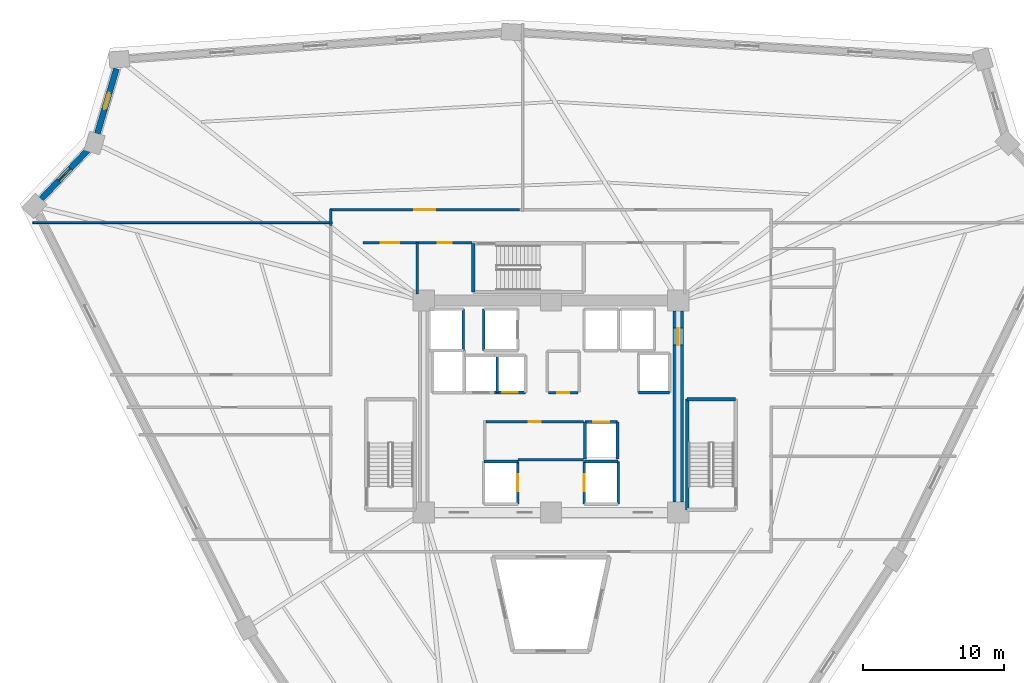
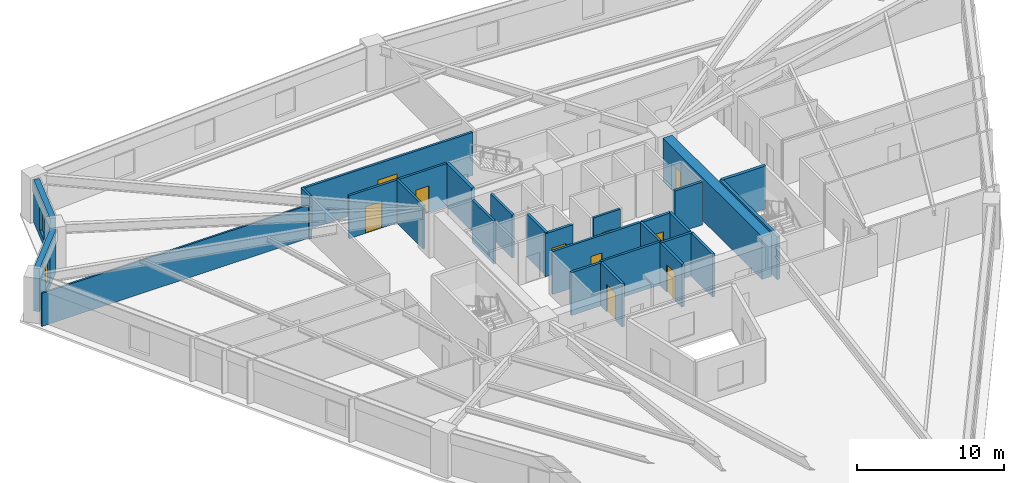
# One storey, part 4 of 7: 28 walls, 10 doors, 2 windows, 12 openings.
"""IFC4 building model written with IfcOpenShell, lengths in metres."""

from ifc_helpers import new_model, si_unit, direction, frame, frame_2d, origin, place, context, subcontext, project, spatial, rectangle, extrude, source, transform, mapped, material, layer, layer_set, type_object, element, fill, save


model = new_model("IFC4")

# Units and contexts
model_context = context("Model", 3, precision=1e-05, world=origin(), true_north=direction((0.0, 1.0)))
body_context = subcontext(model_context, "Body", "Model", "MODEL_VIEW")
ifc_project = project(units=[si_unit("LENGTHUNIT", "METRE"), si_unit("AREAUNIT", "SQUARE_METRE"), si_unit("VOLUMEUNIT", "CUBIC_METRE"), si_unit("PLANEANGLEUNIT", "RADIAN"), si_unit("MASSUNIT", "GRAM", prefix="KILO")], contexts=[model_context])

# Site, building, storey
site_placement = place(None, origin())
site = spatial("IfcSite", under=ifc_project, at=site_placement, CompositionType="ELEMENT")
building_placement = place(site_placement, origin())
building = spatial("IfcBuilding", under=site, at=building_placement, Name="Liaohun Quay Tower", CompositionType="ELEMENT")
storey_placement = place(building_placement, frame((0.0, 0.0, 113.25)))
storey = spatial("IfcBuildingStorey", under=building, at=storey_placement, Name="L29", CompositionType="ELEMENT", Elevation=113.25)

# Wall, opening, door
ifc_material_1 = material(Name="Concrete C60", Category="concrete")
ifc_layer_1 = layer(ifc_material_1, 0.75, Name="Concrete C60", Category="concrete")
ifc_layer_set_1 = layer_set([ifc_layer_1], Name="Concrete C60")
wall_type_1 = type_object("IfcWallType", Name="WAL-COR-Z2", PredefinedType="SHEAR", material=ifc_layer_set_1)
wall_1_placement = place(storey_placement, frame((69.0, 60.75, 0.0), z_axis=(0.0, 0.0, 1.0), x_axis=(0.0, -1.0, 0.0)))
wall_1 = element("IfcWall", 1, at=wall_1_placement, inside=storey, type_object=wall_type_1, Name="L29 Central Core Shear Wall E", PredefinedType="SHEAR", context=body_context, shape_type="SweptSolid", body=[
    extrude(rectangle(XDim=13.5, YDim=0.75, at=frame_2d((6.75, 0.0))), origin(), (0.0, 0.0, 1.0), 3.570068359375),
])
shared_shape_1 = source(origin(), body_context, "Body", "SweptSolid", [
    extrude(rectangle(XDim=1.199951171875, YDim=2.199951171875, at=frame_2d((0.60009765625, 1.10009765625))), frame((0.0, 0.385009765625, 0.0), z_axis=(0.0, -1.0, 0.0), x_axis=(1.0, 0.0, 0.0)), (0.0, 0.0, 1.0), 0.77001953125),
])
opening_1_placement = place(wall_1_placement, frame((1.199951171875, 0.0, 0.0)))
opening_1 = element("IfcOpeningElement", 2, at=opening_1_placement, cuts=wall_1, Name="Opening SD1", PredefinedType="OPENING", context=body_context, shape_type="MappedRepresentation", body=[
    mapped(shared_shape_1, transform((0.0, 0.0, 0.0), x_axis=(1.0, 0.0, 0.0), y_axis=(0.0, 1.0, 0.0), z_axis=(0.0, 0.0, 1.0), scale=1.0)),
])
ifc_material_2 = material(Name="Galvanised steel fire door", Category="steel")
door_type_1 = type_object("IfcDoorType", Name="DOR-STR-1200", OperationType="NOTDEFINED", PredefinedType="DOOR", material=ifc_material_2)
shared_shape_2 = source(origin(), body_context, "Body", "SweptSolid", [
    extrude(rectangle(XDim=1.199951171875, YDim=2.199951171875, at=frame_2d((0.60009765625, 1.10009765625))), frame((0.0, 0.02490234375, 0.0), z_axis=(0.0, -1.0, 0.0), x_axis=(1.0, 0.0, 0.0)), (0.0, 0.0, 1.0), 0.050048828125),
])
door_1_placement = place(opening_1_placement, origin())
door_1 = element("IfcDoor", 3, at=door_1_placement, inside=storey, type_object=door_type_1, Name="L29 North-East Core Lobby Smokeproof Door", OperationType="SINGLE_SWING_LEFT", OverallHeight=2.199951171875, OverallWidth=1.199951171875, PredefinedType="DOOR", context=body_context, shape_type="MappedRepresentation", body=[
    mapped(shared_shape_2, transform((0.0, 0.0, 0.0), x_axis=(1.0, 0.0, 0.0), y_axis=(0.0, 1.0, 0.0), z_axis=(0.0, 0.0, 1.0), scale=1.0)),
])
fill(opening_1, door_1)

# Wall, opening, window
ifc_material_3 = material(Name="Precast concrete C50 insulated sandwich", Category="concrete")
ifc_layer_2 = layer(ifc_material_3, 0.419921875, Name="Precast concrete C50 insulated sandwich", Category="concrete")
ifc_layer_set_2 = layer_set([ifc_layer_2], Name="Precast concrete C50 insulated sandwich")
wall_type_2 = type_object("IfcWallType", Name="WAL-EXT-Z12", PredefinedType="SOLIDWALL", material=ifc_layer_set_2)
wall_2_placement = place(storey_placement, frame((29.278076171875, 77.881103515625, 0.0), z_axis=(0.0, 0.0, 1.0), x_axis=(-0.282666457409, -0.959218261844, 0.0)))
wall_2 = element("IfcWall", 4, at=wall_2_placement, inside=storey, type_object=wall_type_2, Name="L29 Brutalist Precast Pier Wall 08", PredefinedType="SOLIDWALL", context=body_context, shape_type="SweptSolid", body=[
    extrude(rectangle(XDim=4.783203125, YDim=0.419921875, at=frame_2d((2.3916015625, 0.0))), origin(), (0.0, 0.0, 1.0), 3.570068359375),
])
shared_shape_3 = source(origin(), body_context, "Body", "SweptSolid", [
    extrude(rectangle(XDim=1.199951171875, YDim=1.89990234375, at=frame_2d((0.60009765625, 0.949951171875))), frame((0.0, 0.219970703125, 0.0), z_axis=(0.0, -1.0, 0.0), x_axis=(1.0, 0.0, 0.0)), (0.0, 0.0, 1.0), 0.43994140625),
])
opening_2_placement = place(wall_2_placement, frame((1.7919921875, 0.0, 0.550048828125)))
opening_2 = element("IfcOpeningElement", 5, at=opening_2_placement, cuts=wall_2, Name="Opening W05", PredefinedType="OPENING", context=body_context, shape_type="MappedRepresentation", body=[
    mapped(shared_shape_3, transform((0.0, 0.0, 0.0), x_axis=(1.0, 0.0, 0.0), y_axis=(0.0, 1.0, 0.0), z_axis=(0.0, 0.0, 1.0), scale=1.0)),
])
ifc_material_4 = material(Name="Triple Low-E corner notch glazing", Category="glass")
window_type = type_object("IfcWindowType", Name="WIN-NOTCH", PartitioningType="SINGLE_PANEL", PredefinedType="WINDOW", material=ifc_material_4)
shared_shape_4 = source(origin(), body_context, "Body", "SweptSolid", [
    extrude(rectangle(XDim=1.199951171875, YDim=1.89990234375, at=frame_2d((0.60009765625, 0.949951171875))), frame((0.0, 0.030029296875, 0.0), z_axis=(0.0, -1.0, 0.0), x_axis=(1.0, 0.0, 0.0)), (0.0, 0.0, 1.0), 0.06005859375),
])
window_1_placement = place(opening_2_placement, origin())
window_1 = element("IfcWindow", 6, at=window_1_placement, inside=storey, type_object=window_type, Name="L29 Corner Notch Window W05-08", OverallHeight=1.89990234375, OverallWidth=1.199951171875, PartitioningType="SINGLE_PANEL", PredefinedType="WINDOW", context=body_context, shape_type="MappedRepresentation", body=[
    mapped(shared_shape_4, transform((0.0, 0.0, 0.0), x_axis=(1.0, 0.0, 0.0), y_axis=(0.0, 1.0, 0.0), z_axis=(0.0, 0.0, 1.0), scale=1.0)),
])
fill(opening_2, window_1)

wall_3_placement = place(storey_placement, frame((27.2548828125, 72.131103515625, 0.0), z_axis=(0.0, 0.0, 1.0), x_axis=(-0.689175152742, -0.724594789412, 0.0)))
wall_3 = element("IfcWall", 7, at=wall_3_placement, inside=storey, type_object=wall_type_2, Name="L29 Brutalist Precast Pier Wall 09", PredefinedType="SOLIDWALL", context=body_context, shape_type="SweptSolid", body=[
    extrude(rectangle(XDim=4.776611328125, YDim=0.419921875, at=frame_2d((2.38818359375, 0.0))), origin(), (0.0, 0.0, 1.0), 3.570068359375),
])
opening_3_placement = place(wall_3_placement, frame((1.7880859375, 0.0, 0.550048828125)))
opening_3 = element("IfcOpeningElement", 8, at=opening_3_placement, cuts=wall_3, Name="Opening W05", PredefinedType="OPENING", context=body_context, shape_type="MappedRepresentation", body=[
    mapped(shared_shape_3, transform((0.0, 0.0, 0.0), x_axis=(1.0, 0.0, 0.0), y_axis=(0.0, 1.0, 0.0), z_axis=(0.0, 0.0, 1.0), scale=1.0)),
])
window_2_placement = place(opening_3_placement, origin())
window_2 = element("IfcWindow", 9, at=window_2_placement, inside=storey, type_object=window_type, Name="L29 Corner Notch Window W05-09", OverallHeight=1.89990234375, OverallWidth=1.199951171875, PartitioningType="SINGLE_PANEL", PredefinedType="WINDOW", context=body_context, shape_type="MappedRepresentation", body=[
    mapped(shared_shape_4, transform((0.0, 0.0, 0.0), x_axis=(1.0, 0.0, 0.0), y_axis=(0.0, 1.0, 0.0), z_axis=(0.0, 0.0, 1.0), scale=1.0)),
])
fill(opening_3, window_2)

# Wall, opening, door
ifc_material_5 = material(Name="Autoclaved aerated concrete blockwork", Category="masonry")
ifc_layer_3 = layer(ifc_material_5, 0.179931640625, Name="Autoclaved aerated concrete blockwork", Category="masonry")
ifc_layer_set_3 = layer_set([ifc_layer_3], Name="Autoclaved aerated concrete blockwork")
wall_type_3 = type_object("IfcWallType", Name="WAL-PRT-COR", PredefinedType="PARTITIONING", material=ifc_layer_set_3)
wall_4_placement = place(storey_placement, frame((55.389892578125, 52.919921875, 0.0), z_axis=(0.0, 0.0, 1.0), x_axis=(1.0, 0.0, 0.0)))
wall_4 = element("IfcWall", 10, at=wall_4_placement, inside=storey, type_object=wall_type_3, Name="L29 Interior Partition Wall 001", PredefinedType="PARTITIONING", context=body_context, shape_type="SweptSolid", body=[
    extrude(rectangle(XDim=6.91015625, YDim=0.179931640625, at=frame_2d((3.455078125, 0.0))), origin(), (0.0, 0.0, 1.0), 3.570068359375),
])
shared_shape_5 = source(origin(), body_context, "Body", "SweptSolid", [
    extrude(rectangle(XDim=0.85009765625, YDim=2.10009765625, at=frame_2d((0.425048828125, 1.050048828125))), frame((0.0, 0.099853515625, 0.0), z_axis=(0.0, -1.0, 0.0), x_axis=(1.0, 0.0, 0.0)), (0.0, 0.0, 1.0), 0.199951171875),
])
opening_4_placement = place(wall_4_placement, frame((3.034912109375, 0.0, 0.0)))
opening_4 = element("IfcOpeningElement", 11, at=opening_4_placement, cuts=wall_4, Name="Opening AD1", PredefinedType="OPENING", context=body_context, shape_type="MappedRepresentation", body=[
    mapped(shared_shape_5, transform((0.0, 0.0, 0.0), x_axis=(1.0, 0.0, 0.0), y_axis=(0.0, 1.0, 0.0), z_axis=(0.0, 0.0, 1.0), scale=1.0)),
])
ifc_material_6 = material(Name="Steel riser inspection fire door", Category="steel")
door_type_2 = type_object("IfcDoorType", Name="DOR-SHF-850", OperationType="NOTDEFINED", PredefinedType="DOOR", material=ifc_material_6)
shared_shape_6 = source(origin(), body_context, "Body", "SweptSolid", [
    extrude(rectangle(XDim=0.85009765625, YDim=2.10009765625, at=frame_2d((0.425048828125, 1.050048828125))), frame((0.0, 0.02490234375, 0.0), z_axis=(0.0, -1.0, 0.0), x_axis=(1.0, 0.0, 0.0)), (0.0, 0.0, 1.0), 0.050048828125),
])
door_2_placement = place(opening_4_placement, origin())
door_2 = element("IfcDoor", 12, at=door_2_placement, inside=storey, type_object=door_type_2, Name="L29 Core Tenant Storage and Archive Room Door", OperationType="SINGLE_SWING_RIGHT", OverallHeight=2.10009765625, OverallWidth=0.85009765625, PredefinedType="DOOR", context=body_context, shape_type="MappedRepresentation", body=[
    mapped(shared_shape_6, transform((0.0, 0.0, 0.0), x_axis=(1.0, 0.0, 0.0), y_axis=(0.0, 1.0, 0.0), z_axis=(0.0, 0.0, 1.0), scale=1.0)),
])
fill(opening_4, door_2)

wall_5_placement = place(storey_placement, frame((59.81005859375, 54.97998046875, 0.0), z_axis=(0.0, 0.0, 1.0), x_axis=(1.0, 0.0, 0.0)))
wall_5 = element("IfcWall", 13, at=wall_5_placement, inside=storey, type_object=wall_type_3, Name="L29 Interior Partition Wall 002", PredefinedType="PARTITIONING", context=body_context, shape_type="SweptSolid", body=[
    extrude(rectangle(XDim=2.10986328125, YDim=0.179931640625, at=frame_2d((1.054931640625, 0.0))), origin(), (0.0, 0.0, 1.0), 3.570068359375),
])
opening_5_placement = place(wall_5_placement, frame((0.635009765625, 0.0, 0.0)))
opening_5 = element("IfcOpeningElement", 14, at=opening_5_placement, cuts=wall_5, Name="Opening AD1", PredefinedType="OPENING", context=body_context, shape_type="MappedRepresentation", body=[
    mapped(shared_shape_5, transform((0.0, 0.0, 0.0), x_axis=(1.0, 0.0, 0.0), y_axis=(0.0, 1.0, 0.0), z_axis=(0.0, 0.0, 1.0), scale=1.0)),
])
door_3_placement = place(opening_5_placement, origin())
door_3 = element("IfcDoor", 15, at=door_3_placement, inside=storey, type_object=door_type_2, Name="L29 Core Electrical and Telecom Riser Room Door", OperationType="SINGLE_SWING_LEFT", OverallHeight=2.10009765625, OverallWidth=0.85009765625, PredefinedType="DOOR", context=body_context, shape_type="MappedRepresentation", body=[
    mapped(shared_shape_6, transform((0.0, 0.0, 0.0), x_axis=(1.0, 0.0, 0.0), y_axis=(0.0, 1.0, 0.0), z_axis=(0.0, 0.0, 1.0), scale=1.0)),
])
fill(opening_5, door_3)

wall_6_placement = place(storey_placement, frame((50.5400390625, 65.580078125, 0.0), z_axis=(0.0, 0.0, 1.0), x_axis=(1.0, 0.0, 0.0)))
wall_6 = element("IfcWall", 16, at=wall_6_placement, inside=storey, type_object=wall_type_3, Name="L29 Interior Partition Wall 006", PredefinedType="PARTITIONING", context=body_context, shape_type="SweptSolid", body=[
    extrude(rectangle(XDim=3.869873046875, YDim=0.179931640625, at=frame_2d((1.93505859375, 0.0))), origin(), (0.0, 0.0, 1.0), 3.570068359375),
])
shared_shape_7 = source(origin(), body_context, "Body", "SweptSolid", [
    extrude(rectangle(XDim=1.0, YDim=2.199951171875, at=frame_2d((0.5, 1.10009765625))), frame((0.0, 0.099853515625, 0.0), z_axis=(0.0, -1.0, 0.0), x_axis=(1.0, 0.0, 0.0)), (0.0, 0.0, 1.0), 0.199951171875),
])
opening_6_placement = place(wall_6_placement, frame((1.43505859375, 0.0, 0.0)))
opening_6 = element("IfcOpeningElement", 17, at=opening_6_placement, cuts=wall_6, Name="Opening OD1", PredefinedType="OPENING", context=body_context, shape_type="MappedRepresentation", body=[
    mapped(shared_shape_7, transform((0.0, 0.0, 0.0), x_axis=(1.0, 0.0, 0.0), y_axis=(0.0, 1.0, 0.0), z_axis=(0.0, 0.0, 1.0), scale=1.0)),
])
ifc_material_7 = material(Name="Solid-core oak veneer timber leaf in steel frame", Category="steel")
door_type_3 = type_object("IfcDoorType", Name="DOR-OFF-1000", OperationType="NOTDEFINED", PredefinedType="DOOR", material=ifc_material_7)
shared_shape_8 = source(origin(), body_context, "Body", "SweptSolid", [
    extrude(rectangle(XDim=1.0, YDim=2.199951171875, at=frame_2d((0.5, 1.10009765625))), frame((0.0, 0.02490234375, 0.0), z_axis=(0.0, -1.0, 0.0), x_axis=(1.0, 0.0, 0.0)), (0.0, 0.0, 1.0), 0.050048828125),
])
door_4_placement = place(opening_6_placement, origin())
door_4 = element("IfcDoor", 18, at=door_4_placement, inside=storey, type_object=door_type_3, Name="L29 North-West Print and Telecom Room Door", OperationType="SINGLE_SWING_LEFT", OverallHeight=2.199951171875, OverallWidth=1.0, PredefinedType="DOOR", context=body_context, shape_type="MappedRepresentation", body=[
    mapped(shared_shape_8, transform((0.0, 0.0, 0.0), x_axis=(1.0, 0.0, 0.0), y_axis=(0.0, 1.0, 0.0), z_axis=(0.0, 0.0, 1.0), scale=1.0)),
])
fill(opening_6, door_4)

wall_7_placement = place(storey_placement, frame((46.699951171875, 65.580078125, 0.0), z_axis=(0.0, 0.0, 1.0), x_axis=(1.0, 0.0, 0.0)))
wall_7 = element("IfcWall", 19, at=wall_7_placement, inside=storey, type_object=wall_type_3, Name="L29 Interior Partition Wall 008", PredefinedType="PARTITIONING", context=body_context, shape_type="SweptSolid", body=[
    extrude(rectangle(XDim=3.840087890625, YDim=0.179931640625, at=frame_2d((1.919921875, 0.0))), origin(), (0.0, 0.0, 1.0), 3.570068359375),
])
shared_shape_9 = source(origin(), body_context, "Body", "SweptSolid", [
    extrude(rectangle(XDim=1.300048828125, YDim=2.199951171875, at=frame_2d((0.64990234375, 1.10009765625))), frame((0.0, 0.099853515625, 0.0), z_axis=(0.0, -1.0, 0.0), x_axis=(1.0, 0.0, 0.0)), (0.0, 0.0, 1.0), 0.199951171875),
])
opening_7_placement = place(wall_7_placement, frame((1.27001953125, 0.0, 0.0)))
opening_7 = element("IfcOpeningElement", 20, at=opening_7_placement, cuts=wall_7, Name="Opening FD1", PredefinedType="OPENING", context=body_context, shape_type="MappedRepresentation", body=[
    mapped(shared_shape_9, transform((0.0, 0.0, 0.0), x_axis=(1.0, 0.0, 0.0), y_axis=(0.0, 1.0, 0.0), z_axis=(0.0, 0.0, 1.0), scale=1.0)),
])
ifc_material_8 = material(Name="Galvanised steel smokeproof fire door", Category="steel")
door_type_4 = type_object("IfcDoorType", Name="DOR-FFL-1300", OperationType="NOTDEFINED", PredefinedType="DOOR", material=ifc_material_8)
shared_shape_10 = source(origin(), body_context, "Body", "SweptSolid", [
    extrude(rectangle(XDim=1.300048828125, YDim=2.199951171875, at=frame_2d((0.64990234375, 1.10009765625))), frame((0.0, 0.02490234375, 0.0), z_axis=(0.0, -1.0, 0.0), x_axis=(1.0, 0.0, 0.0)), (0.0, 0.0, 1.0), 0.050048828125),
])
door_5_placement = place(opening_7_placement, origin())
door_5 = element("IfcDoor", 21, at=door_5_placement, inside=storey, type_object=door_type_4, Name="L29 West Core Vestibule Door", OperationType="SINGLE_SWING_LEFT", OverallHeight=2.199951171875, OverallWidth=1.300048828125, PredefinedType="DOOR", context=body_context, shape_type="MappedRepresentation", body=[
    mapped(shared_shape_10, transform((0.0, 0.0, 0.0), x_axis=(1.0, 0.0, 0.0), y_axis=(0.0, 1.0, 0.0), z_axis=(0.0, 0.0, 1.0), scale=1.0)),
])
fill(opening_7, door_5)

wall_8_placement = place(storey_placement, frame((44.3701171875, 67.909912109375, 0.0), z_axis=(0.0, 0.0, 1.0), x_axis=(1.0, 0.0, 0.0)))
wall_8 = element("IfcWall", 22, at=wall_8_placement, inside=storey, type_object=wall_type_3, Name="L29 Interior Partition Wall 012", PredefinedType="PARTITIONING", context=body_context, shape_type="SweptSolid", body=[
    extrude(rectangle(XDim=13.414794921875, YDim=0.179931640625, at=frame_2d((6.70751953125, 0.0))), origin(), (0.0, 0.0, 1.0), 3.570068359375),
])
shared_shape_11 = source(origin(), body_context, "Body", "SweptSolid", [
    extrude(rectangle(XDim=1.5, YDim=2.199951171875, at=frame_2d((0.75, 1.10009765625))), frame((0.0, 0.099853515625, 0.0), z_axis=(0.0, -1.0, 0.0), x_axis=(1.0, 0.0, 0.0)), (0.0, 0.0, 1.0), 0.199951171875),
])
opening_8_placement = place(wall_8_placement, frame((5.95703125, 0.0, 0.0)))
opening_8 = element("IfcOpeningElement", 23, at=opening_8_placement, cuts=wall_8, Name="Opening OD2", PredefinedType="OPENING", context=body_context, shape_type="MappedRepresentation", body=[
    mapped(shared_shape_11, transform((0.0, 0.0, 0.0), x_axis=(1.0, 0.0, 0.0), y_axis=(0.0, 1.0, 0.0), z_axis=(0.0, 0.0, 1.0), scale=1.0)),
])
ifc_material_9 = material(Name="Acoustic oak veneer double door")
door_type_5 = type_object("IfcDoorType", Name="DOR-OFF-1500", OperationType="DOUBLE_DOOR_SINGLE_SWING", PredefinedType="DOOR", material=ifc_material_9)
shared_shape_12 = source(origin(), body_context, "Body", "SweptSolid", [
    extrude(rectangle(XDim=1.5, YDim=2.199951171875, at=frame_2d((0.75, 1.10009765625))), frame((0.0, 0.02490234375, 0.0), z_axis=(0.0, -1.0, 0.0), x_axis=(1.0, 0.0, 0.0)), (0.0, 0.0, 1.0), 0.050048828125),
])
door_6_placement = place(opening_8_placement, origin())
door_6 = element("IfcDoor", 24, at=door_6_placement, inside=storey, type_object=door_type_5, Name="L29 Technical Reference Library 03 Door", OperationType="DOUBLE_DOOR_SINGLE_SWING", OverallHeight=2.199951171875, OverallWidth=1.5, PredefinedType="DOOR", context=body_context, shape_type="MappedRepresentation", body=[
    mapped(shared_shape_12, transform((0.0, 0.0, 0.0), x_axis=(1.0, 0.0, 0.0), y_axis=(0.0, 1.0, 0.0), z_axis=(0.0, 0.0, 1.0), scale=1.0)),
])
fill(opening_8, door_6)

# Walls
wall_9_placement = place(storey_placement, frame((50.5400390625, 61.949951171875, 0.0), z_axis=(0.0, 0.0, 1.0), x_axis=(0.0, 1.0, 0.0)))
element("IfcWall", 25, at=wall_9_placement, inside=storey, type_object=wall_type_3, Name="L29 Interior Partition Wall 027", PredefinedType="PARTITIONING", context=body_context, shape_type="SweptSolid", body=[
    extrude(rectangle(XDim=3.630126953125, YDim=0.179931640625, at=frame_2d((1.81494140625, 0.0))), origin(), (0.0, 0.0, 1.0), 3.570068359375),
])
wall_10_placement = place(storey_placement, frame((44.43994140625, 66.784912109375, 0.0), z_axis=(0.0, 0.0, 1.0), x_axis=(0.0, 1.0, 0.0)))
element("IfcWall", 26, at=wall_10_placement, inside=storey, type_object=wall_type_3, Name="L29 Interior Partition Wall 031", PredefinedType="PARTITIONING", context=body_context, shape_type="SweptSolid", body=[
    extrude(rectangle(XDim=1.195068359375, YDim=0.179931640625, at=frame_2d((0.59765625, 0.0))), origin(), (0.0, 0.0, 1.0), 3.570068359375),
])
wall_11_placement = place(storey_placement, frame((57.64990234375, 50.25, 0.0), z_axis=(0.0, 0.0, 1.0), x_axis=(1.0, 0.0, 0.0)))
element("IfcWall", 27, at=wall_11_placement, inside=storey, type_object=wall_type_3, Name="L29 Interior Partition Wall 045", PredefinedType="PARTITIONING", context=body_context, shape_type="SweptSolid", body=[
    extrude(rectangle(XDim=4.650146484375, YDim=0.179931640625, at=frame_2d((2.3251953125, 0.0))), origin(), (0.0, 0.0, 1.0), 3.570068359375),
])
ifc_material_10 = material(Name="Gypsum board on twin steel studs", Category="steel")
ifc_layer_4 = layer(ifc_material_10, 0.139892578125, Name="Gypsum board on twin steel studs", Category="steel")
ifc_layer_set_4 = layer_set([ifc_layer_4], Name="Gypsum board on twin steel studs")
wall_type_4 = type_object("IfcWallType", Name="WAL-PRT-OFF", PredefinedType="PARTITIONING", material=ifc_layer_set_4)
wall_12_placement = place(storey_placement, frame((44.5400390625, 67.0, 0.0), z_axis=(0.0, 0.0, 1.0), x_axis=(-1.0, 0.0, 0.0)))
element("IfcWall", 28, at=wall_12_placement, inside=storey, type_object=wall_type_4, Name="L29 Interior Partition Wall 039", PredefinedType="PARTITIONING", context=body_context, shape_type="SweptSolid", body=[
    extrude(rectangle(XDim=21.169921875, YDim=0.139892578125, at=frame_2d((10.5849609375, 0.0))), origin(), (0.0, 0.0, 1.0), 2.7548828125),
])
ifc_material_11 = material(Name="Concrete C50", Category="concrete")
ifc_layer_5 = layer(ifc_material_11, 0.239990234375, Name="Concrete C50", Category="concrete")
ifc_layer_set_5 = layer_set([ifc_layer_5], Name="Concrete C50")
wall_type_5 = type_object("IfcWallType", Name="WAL-SHF-200", PredefinedType="SOLIDWALL", material=ifc_layer_set_5)
wall_13_placement = place(storey_placement, frame((73.06005859375, 54.52001953125, 0.0), z_axis=(0.0, 0.0, 1.0), x_axis=(-1.0, 0.0, 0.0)))
element("IfcWall", 29, at=wall_13_placement, inside=storey, type_object=wall_type_5, Name="L29 Stairwell ST-2 Structural Core Wall N", PredefinedType="SOLIDWALL", context=body_context, shape_type="SweptSolid", body=[
    extrude(rectangle(XDim=3.43994140625, YDim=0.239990234375, at=frame_2d((1.719970703125, 0.0))), origin(), (0.0, 0.0, 1.0), 3.570068359375),
])
wall_14_placement = place(storey_placement, frame((69.6201171875, 54.52001953125, 0.0), z_axis=(0.0, 0.0, 1.0), x_axis=(0.0, -1.0, 0.0)))
element("IfcWall", 30, at=wall_14_placement, inside=storey, type_object=wall_type_5, Name="L29 Stairwell ST-2 Structural Core Wall W", PredefinedType="SOLIDWALL", context=body_context, shape_type="SweptSolid", body=[
    extrude(rectangle(XDim=7.820068359375, YDim=0.239990234375, at=frame_2d((3.91015625, 0.0))), origin(), (0.0, 0.0, 1.0), 3.570068359375),
])
wall_15_placement = place(storey_placement, frame((54.5, 65.5400390625, 0.0), z_axis=(0.0, 0.0, 1.0), x_axis=(0.0, -1.0, 0.0)))
element("IfcWall", 31, at=wall_15_placement, inside=storey, type_object=wall_type_5, Name="L29 Stairwell ST-3 Structural Core Wall W", PredefinedType="SOLIDWALL", context=body_context, shape_type="SweptSolid", body=[
    extrude(rectangle(XDim=3.43994140625, YDim=0.239990234375, at=frame_2d((1.719970703125, 0.0))), origin(), (0.0, 0.0, 1.0), 3.570068359375),
])

# Wall, opening, door
wall_16_placement = place(storey_placement, frame((57.64990234375, 47.1201171875, 0.0), z_axis=(0.0, 0.0, 1.0), x_axis=(0.0, 1.0, 0.0)))
wall_16 = element("IfcWall", 32, at=wall_16_placement, inside=storey, type_object=wall_type_5, Name="L29 Lift FF-01 Hoistway Wall E", PredefinedType="SOLIDWALL", context=body_context, shape_type="SweptSolid", body=[
    extrude(rectangle(XDim=3.0, YDim=0.199951171875, at=frame_2d((1.5, 0.0))), origin(), (0.0, 0.0, 1.0), 3.570068359375),
])
shared_shape_13 = source(origin(), body_context, "Body", "SweptSolid", [
    extrude(rectangle(XDim=1.199951171875, YDim=2.300048828125, at=frame_2d((0.60009765625, 1.14990234375))), frame((0.0, 0.10986328125, 0.0), z_axis=(0.0, -1.0, 0.0), x_axis=(1.0, 0.0, 0.0)), (0.0, 0.0, 1.0), 0.219970703125),
])
opening_9_placement = place(wall_16_placement, frame((0.89990234375, 0.0, 0.0)))
opening_9 = element("IfcOpeningElement", 33, at=opening_9_placement, cuts=wall_16, Name="Opening LD2", PredefinedType="OPENING", context=body_context, shape_type="MappedRepresentation", body=[
    mapped(shared_shape_13, transform((0.0, 0.0, 0.0), x_axis=(1.0, 0.0, 0.0), y_axis=(0.0, 1.0, 0.0), z_axis=(0.0, 0.0, 1.0), scale=1.0)),
])
ifc_material_12 = material(Name="Brushed stainless steel stretcher landing door", Category="steel")
door_type_6 = type_object("IfcDoorType", Name="DOR-LFT-1200", OperationType="SLIDING_TO_LEFT", PredefinedType="DOOR", material=ifc_material_12)
shared_shape_14 = source(origin(), body_context, "Body", "SweptSolid", [
    extrude(rectangle(XDim=1.199951171875, YDim=2.300048828125, at=frame_2d((0.60009765625, 1.14990234375))), frame((0.0, 0.02490234375, 0.0), z_axis=(0.0, -1.0, 0.0), x_axis=(1.0, 0.0, 0.0)), (0.0, 0.0, 1.0), 0.050048828125),
])
door_7_placement = place(opening_9_placement, origin())
door_7 = element("IfcDoor", 34, at=door_7_placement, inside=storey, type_object=door_type_6, Name="L29 Lift FF-01 Sliding Landing Door", OperationType="SLIDING_TO_LEFT", OverallHeight=2.300048828125, OverallWidth=1.199951171875, PredefinedType="DOOR", context=body_context, shape_type="MappedRepresentation", body=[
    mapped(shared_shape_14, transform((0.0, 0.0, 0.0), x_axis=(1.0, 0.0, 0.0), y_axis=(0.0, 1.0, 0.0), z_axis=(0.0, 0.0, 1.0), scale=1.0)),
])
fill(opening_9, door_7)

# Walls
wall_17_placement = place(storey_placement, frame((57.64990234375, 50.1201171875, 0.0), z_axis=(0.0, 0.0, 1.0), x_axis=(-1.0, 0.0, 0.0)))
element("IfcWall", 35, at=wall_17_placement, inside=storey, type_object=wall_type_5, Name="L29 Lift FF-01 Hoistway Wall N", PredefinedType="SOLIDWALL", context=body_context, shape_type="SweptSolid", body=[
    extrude(rectangle(XDim=2.39990234375, YDim=0.199951171875, at=frame_2d((1.199951171875, 0.0))), origin(), (0.0, 0.0, 1.0), 3.570068359375),
])
wall_18_placement = place(storey_placement, frame((64.75, 47.1201171875, 0.0), z_axis=(0.0, 0.0, 1.0), x_axis=(0.0, 1.0, 0.0)))
element("IfcWall", 36, at=wall_18_placement, inside=storey, type_object=wall_type_5, Name="L29 Lift FF-02 Hoistway Wall E", PredefinedType="SOLIDWALL", context=body_context, shape_type="SweptSolid", body=[
    extrude(rectangle(XDim=3.0, YDim=0.199951171875, at=frame_2d((1.5, 0.0))), origin(), (0.0, 0.0, 1.0), 3.570068359375),
])
wall_19_placement = place(storey_placement, frame((64.75, 50.1201171875, 0.0), z_axis=(0.0, 0.0, 1.0), x_axis=(-1.0, 0.0, 0.0)))
element("IfcWall", 37, at=wall_19_placement, inside=storey, type_object=wall_type_5, Name="L29 Lift FF-02 Hoistway Wall N", PredefinedType="SOLIDWALL", context=body_context, shape_type="SweptSolid", body=[
    extrude(rectangle(XDim=2.39990234375, YDim=0.199951171875, at=frame_2d((1.199951171875, 0.0))), origin(), (0.0, 0.0, 1.0), 3.570068359375),
])

# Wall, opening, door
wall_20_placement = place(storey_placement, frame((62.35009765625, 50.1201171875, 0.0), z_axis=(0.0, 0.0, 1.0), x_axis=(0.0, -1.0, 0.0)))
wall_20 = element("IfcWall", 38, at=wall_20_placement, inside=storey, type_object=wall_type_5, Name="L29 Lift FF-02 Hoistway Wall W", PredefinedType="SOLIDWALL", context=body_context, shape_type="SweptSolid", body=[
    extrude(rectangle(XDim=3.0, YDim=0.199951171875, at=frame_2d((1.5, 0.0))), origin(), (0.0, 0.0, 1.0), 3.570068359375),
])
opening_10_placement = place(wall_20_placement, frame((0.89990234375, 0.0, 0.0)))
opening_10 = element("IfcOpeningElement", 39, at=opening_10_placement, cuts=wall_20, Name="Opening LD2", PredefinedType="OPENING", context=body_context, shape_type="MappedRepresentation", body=[
    mapped(shared_shape_13, transform((0.0, 0.0, 0.0), x_axis=(1.0, 0.0, 0.0), y_axis=(0.0, 1.0, 0.0), z_axis=(0.0, 0.0, 1.0), scale=1.0)),
])
door_8_placement = place(opening_10_placement, origin())
door_8 = element("IfcDoor", 40, at=door_8_placement, inside=storey, type_object=door_type_6, Name="L29 Lift FF-02 Sliding Landing Door", OperationType="SLIDING_TO_LEFT", OverallHeight=2.300048828125, OverallWidth=1.199951171875, PredefinedType="DOOR", context=body_context, shape_type="MappedRepresentation", body=[
    mapped(shared_shape_14, transform((0.0, 0.0, 0.0), x_axis=(1.0, 0.0, 0.0), y_axis=(0.0, 1.0, 0.0), z_axis=(0.0, 0.0, 1.0), scale=1.0)),
])
fill(opening_10, door_8)

# Walls
for number, where, z_axis, x_axis, name in (
    (41, (55.25, 60.8798828125, 0.0), (0.0, 0.0, 1.0), (0.0, -1.0, 0.0), "L29 Lift FF-03 Hoistway Wall W"),
    (42, (53.800048828125, 57.949951171875, 0.0), (0.0, 0.0, 1.0), (0.0, 1.0, 0.0), "L29 Lift SH-01 Hoistway Wall E"),
):
    element("IfcWall", number, at=place(storey_placement, frame(where, z_axis=z_axis, x_axis=x_axis)), inside=storey, type_object=wall_type_5, Name=name, PredefinedType="SOLIDWALL", context=body_context, shape_type="SweptSolid", body=[
        extrude(rectangle(XDim=2.929931640625, YDim=0.199951171875, at=frame_2d((1.46484375, 0.0))), origin(), (0.0, 0.0, 1.0), 3.570068359375),
    ])
wall_21_placement = place(storey_placement, frame((66.199951171875, 55.0, 0.0), z_axis=(0.0, 0.0, 1.0), x_axis=(1.0, 0.0, 0.0)))
element("IfcWall", 43, at=wall_21_placement, inside=storey, type_object=wall_type_5, Name="L29 Lift SH-03 Hoistway Wall S", PredefinedType="SOLIDWALL", context=body_context, shape_type="SweptSolid", body=[
    extrude(rectangle(XDim=2.179931640625, YDim=0.199951171875, at=frame_2d((1.08984375, 0.0))), origin(), (0.0, 0.0, 1.0), 3.570068359375),
])
wall_22_placement = place(storey_placement, frame((64.699951171875, 50.300048828125, 0.0), z_axis=(0.0, 0.0, 1.0), x_axis=(0.0, 1.0, 0.0)))
element("IfcWall", 44, at=wall_22_placement, inside=storey, type_object=wall_type_5, Name="L29 Lift PL-2A Hoistway Wall E", PredefinedType="SOLIDWALL", context=body_context, shape_type="SweptSolid", body=[
    extrude(rectangle(XDim=2.599853515625, YDim=0.199951171875, at=frame_2d((1.2998046875, 0.0))), origin(), (0.0, 0.0, 1.0), 3.570068359375),
])

# Wall, opening, door
wall_23_placement = place(storey_placement, frame((64.699951171875, 52.89990234375, 0.0), z_axis=(0.0, 0.0, 1.0), x_axis=(-1.0, 0.0, 0.0)))
wall_23 = element("IfcWall", 45, at=wall_23_placement, inside=storey, type_object=wall_type_5, Name="L29 Lift PL-2A Hoistway Wall N", PredefinedType="SOLIDWALL", context=body_context, shape_type="SweptSolid", body=[
    extrude(rectangle(XDim=2.300048828125, YDim=0.199951171875, at=frame_2d((1.14990234375, 0.0))), origin(), (0.0, 0.0, 1.0), 3.570068359375),
])
shared_shape_15 = source(origin(), body_context, "Body", "SweptSolid", [
    extrude(rectangle(XDim=1.10009765625, YDim=2.199951171875, at=frame_2d((0.550048828125, 1.10009765625))), frame((0.0, 0.10986328125, 0.0), z_axis=(0.0, -1.0, 0.0), x_axis=(1.0, 0.0, 0.0)), (0.0, 0.0, 1.0), 0.219970703125),
])
opening_11_placement = place(wall_23_placement, frame((0.60009765625, 0.0, 0.0)))
opening_11 = element("IfcOpeningElement", 46, at=opening_11_placement, cuts=wall_23, Name="Opening LD1", PredefinedType="OPENING", context=body_context, shape_type="MappedRepresentation", body=[
    mapped(shared_shape_15, transform((0.0, 0.0, 0.0), x_axis=(1.0, 0.0, 0.0), y_axis=(0.0, 1.0, 0.0), z_axis=(0.0, 0.0, 1.0), scale=1.0)),
])
ifc_material_13 = material(Name="Brushed stainless steel landing door", Category="steel")
door_type_7 = type_object("IfcDoorType", Name="DOR-LFT-1100", OperationType="SLIDING_TO_LEFT", PredefinedType="DOOR", material=ifc_material_13)
shared_shape_16 = source(origin(), body_context, "Body", "SweptSolid", [
    extrude(rectangle(XDim=1.10009765625, YDim=2.199951171875, at=frame_2d((0.550048828125, 1.10009765625))), frame((0.0, 0.02490234375, 0.0), z_axis=(0.0, -1.0, 0.0), x_axis=(1.0, 0.0, 0.0)), (0.0, 0.0, 1.0), 0.050048828125),
])
door_9_placement = place(opening_11_placement, origin())
door_9 = element("IfcDoor", 47, at=door_9_placement, inside=storey, type_object=door_type_7, Name="L29 Lift PL-2A Sliding Landing Door", OperationType="SLIDING_TO_LEFT", OverallHeight=2.199951171875, OverallWidth=1.10009765625, PredefinedType="DOOR", context=body_context, shape_type="MappedRepresentation", body=[
    mapped(shared_shape_16, transform((0.0, 0.0, 0.0), x_axis=(1.0, 0.0, 0.0), y_axis=(0.0, 1.0, 0.0), z_axis=(0.0, 0.0, 1.0), scale=1.0)),
])
fill(opening_11, door_9)

# Walls
wall_24_placement = place(storey_placement, frame((62.39990234375, 52.89990234375, 0.0), z_axis=(0.0, 0.0, 1.0), x_axis=(0.0, -1.0, 0.0)))
element("IfcWall", 48, at=wall_24_placement, inside=storey, type_object=wall_type_5, Name="L29 Lift PL-2A Hoistway Wall W", PredefinedType="SOLIDWALL", context=body_context, shape_type="SweptSolid", body=[
    extrude(rectangle(XDim=2.599853515625, YDim=0.199951171875, at=frame_2d((1.2998046875, 0.0))), origin(), (0.0, 0.0, 1.0), 3.570068359375),
])
wall_25_placement = place(storey_placement, frame((56.199951171875, 55.0, 0.0), z_axis=(0.0, 0.0, 1.0), x_axis=(0.0, 1.0, 0.0)))
element("IfcWall", 49, at=wall_25_placement, inside=storey, type_object=wall_type_5, Name="L29 Lift PL-2B Hoistway Wall E", PredefinedType="SOLIDWALL", context=body_context, shape_type="SweptSolid", body=[
    extrude(rectangle(XDim=2.60009765625, YDim=0.199951171875, at=frame_2d((1.300048828125, 0.0))), origin(), (0.0, 0.0, 1.0), 3.570068359375),
])

# Wall, opening, door
wall_26_placement = place(storey_placement, frame((56.0, 55.0, 0.0), z_axis=(0.0, 0.0, 1.0), x_axis=(1.0, 0.0, 0.0)))
wall_26 = element("IfcWall", 50, at=wall_26_placement, inside=storey, type_object=wall_type_5, Name="L29 Lift PL-2C Hoistway Wall S", PredefinedType="SOLIDWALL", context=body_context, shape_type="SweptSolid", body=[
    extrude(rectangle(XDim=2.199951171875, YDim=0.199951171875, at=frame_2d((1.10009765625, 0.0))), origin(), (0.0, 0.0, 1.0), 3.570068359375),
])
opening_12_placement = place(wall_26_placement, frame((0.550048828125, 0.0, 0.0)))
opening_12 = element("IfcOpeningElement", 51, at=opening_12_placement, cuts=wall_26, Name="Opening LD1", PredefinedType="OPENING", context=body_context, shape_type="MappedRepresentation", body=[
    mapped(shared_shape_15, transform((0.0, 0.0, 0.0), x_axis=(1.0, 0.0, 0.0), y_axis=(0.0, 1.0, 0.0), z_axis=(0.0, 0.0, 1.0), scale=1.0)),
])
door_10_placement = place(opening_12_placement, origin())
door_10 = element("IfcDoor", 52, at=door_10_placement, inside=storey, type_object=door_type_7, Name="L29 Lift PL-2C Sliding Landing Door", OperationType="SLIDING_TO_LEFT", OverallHeight=2.199951171875, OverallWidth=1.10009765625, PredefinedType="DOOR", context=body_context, shape_type="MappedRepresentation", body=[
    mapped(shared_shape_16, transform((0.0, 0.0, 0.0), x_axis=(1.0, 0.0, 0.0), y_axis=(0.0, 1.0, 0.0), z_axis=(0.0, 0.0, 1.0), scale=1.0)),
])
fill(opening_12, door_10)

save(model, "model.ifc")
